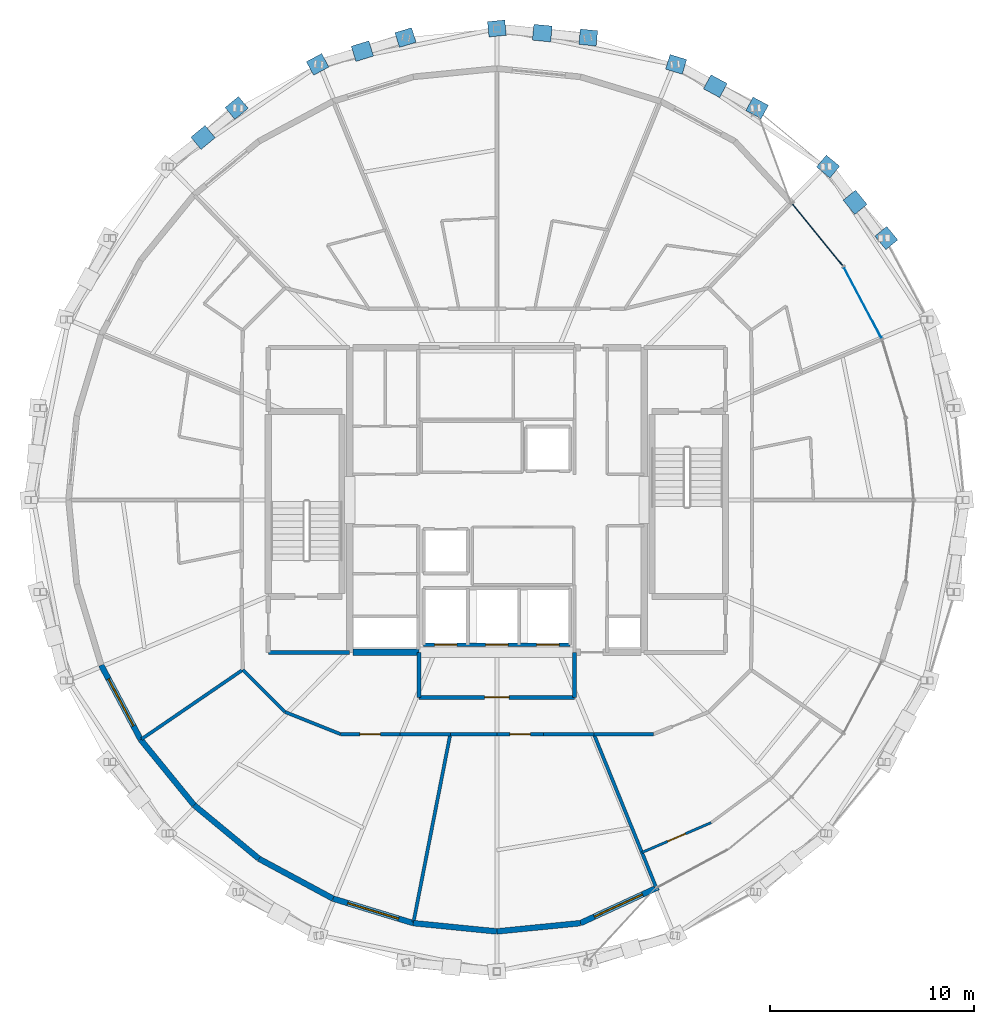
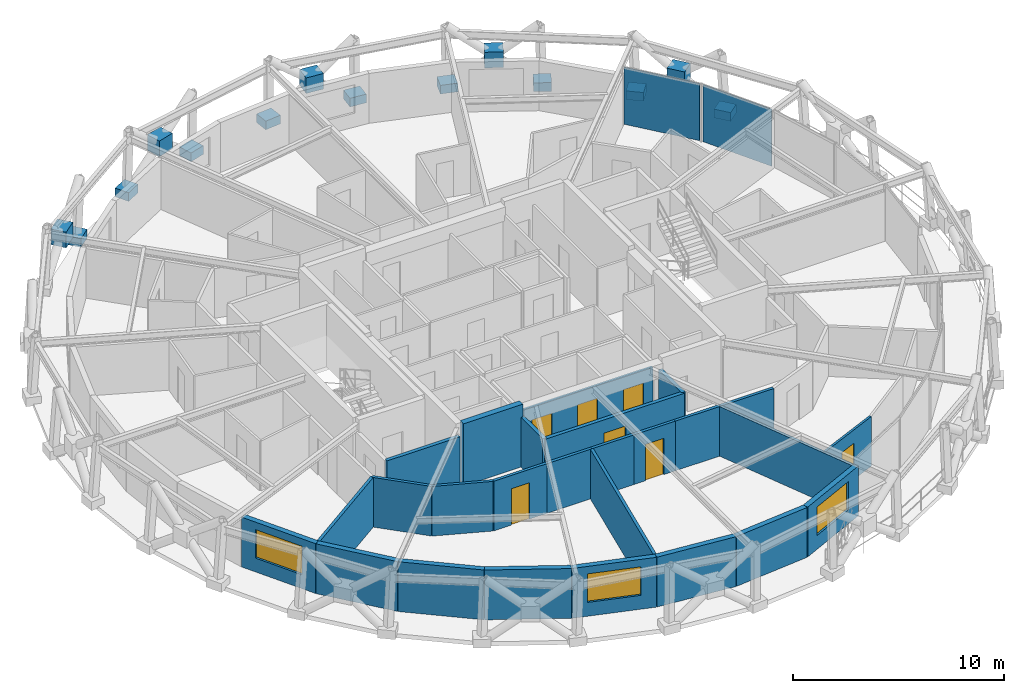
# One storey, part 10 of 15: 26 walls, 16 plates, 7 doors, 3 windows, 10 openings, 1 element without a shape of its own.
"""IFC4 building model written with IfcOpenShell, lengths in metres."""

from ifc_helpers import new_model, si_unit, direction, frame, frame_2d, origin, origin_2d, place, context, subcontext, project, spatial, rectangle, extrude, material, layer, layer_set, type_object, element, fill, aggregate, save


model = new_model("IFC4")

# Units and contexts
model_context = context("Model", 3, precision=1e-05, world=origin(), true_north=direction((0.0, 1.0)))
body_context = subcontext(model_context, "Body", "Model", "MODEL_VIEW")
ifc_project = project(units=[si_unit("LENGTHUNIT", "METRE"), si_unit("AREAUNIT", "SQUARE_METRE"), si_unit("VOLUMEUNIT", "CUBIC_METRE"), si_unit("PLANEANGLEUNIT", "RADIAN"), si_unit("MASSUNIT", "GRAM", prefix="KILO")], contexts=[model_context])

# Site, building, storey
site_placement = place(None, origin())
site = spatial("IfcSite", under=ifc_project, at=site_placement, CompositionType="ELEMENT")
building_placement = place(site_placement, origin())
building = spatial("IfcBuilding", under=site, at=building_placement, Name="Veldorina Hangang Commons", CompositionType="ELEMENT")
storey_placement = place(building_placement, frame((0.0, 0.0, 250.800048828125)))
storey = spatial("IfcBuildingStorey", under=building, at=storey_placement, Name="L65", CompositionType="ELEMENT", Elevation=250.800048828125)

# Curtain wall, plates
ifc_material_1 = material(Name="Glass Low-E Selective", Category="glass")
ifc_layer_1 = layer(ifc_material_1, 0.179931640625)
ifc_layer_set_1 = layer_set([ifc_layer_1], Name="Glass Low-E Selective")
curtain_wall_type = type_object("IfcCurtainWallType", Name="CW-SYS-Z3", PredefinedType="NOTDEFINED", material=ifc_layer_set_1)
curtain_wall_placement = place(storey_placement, origin())
curtain_wall = element("IfcCurtainWall", 1, at=curtain_wall_placement, inside=storey, type_object=curtain_wall_type, Name="L65 unitised curtain wall CW-L65-R2", PredefinedType="NOTDEFINED")
ifc_material_2 = material(Name="Glass Low-E Triple IGU", Category="glass")
ifc_layer_2 = layer(ifc_material_2, 0.0400390625)
ifc_layer_set_2 = layer_set([ifc_layer_2], Name="Glass Low-E Triple IGU")
plate_type_1 = type_object("IfcPlateType", Name="CW-PNL-VIS", PredefinedType="CURTAIN_PANEL", material=ifc_layer_set_2)
plate_1_placement = place(storey_placement, frame((49.8916015625, 33.634765625, 0.014892578125), z_axis=(0.0, 0.0, 1.0), x_axis=(-0.468670031731, 0.88337330804, 0.0)))
plate_1 = element("IfcPlate", 2, at=plate_1_placement, type_object=plate_type_1, Name="CW-L65-R2 facet 4 glazed vision panel", PredefinedType="CURTAIN_PANEL", context=body_context, shape_type="SweptSolid", body=[
    extrude(rectangle(XDim=3.839599609375, YDim=0.0400390625, at=origin_2d()), origin(), (0.0, 0.0, 1.0), 3.2900390625),
])
plate_2_placement = place(storey_placement, frame((47.68212890625, 36.96630859375, 0.014892578125), z_axis=(0.0, 0.0, 1.0), x_axis=(-0.631569330094, 0.775319405977, 0.0)))
plate_2 = element("IfcPlate", 3, at=plate_2_placement, type_object=plate_type_1, Name="CW-L65-R2 facet 5 glazed vision panel", PredefinedType="CURTAIN_PANEL", context=body_context, shape_type="SweptSolid", body=[
    extrude(rectangle(XDim=3.833984375, YDim=0.0400390625, at=origin_2d()), origin(), (0.0, 0.0, 1.0), 3.2900390625),
])
aggregate(curtain_wall, [plate_1, plate_2])

# Plates
ifc_material_3 = material(Name="Steel SM460-TMC", Category="steel")
ifc_layer_3 = layer(ifc_material_3, 0.035888671875)
ifc_layer_set_3 = layer_set([ifc_layer_3], Name="Steel SM460-TMC")
plate_type_2 = type_object("IfcPlateType", Name="PL-STAR-36", PredefinedType="USERDEFINED", material=ifc_layer_set_3)
plate_3_placement = place(storey_placement, frame((51.044921875, 36.81005859375, -0.090087890625), z_axis=(0.0, 0.0, 1.0), x_axis=(-0.631880512357, 0.775065815337, 0.0)))
element("IfcPlate", 4, at=plate_3_placement, inside=storey, type_object=plate_type_2, Name="L65 diagrid star-node gusset plate 03", ObjectType="GUSSET PLATE", PredefinedType="USERDEFINED", context=body_context, shape_type="SweptSolid", body=[
    extrude(rectangle(XDim=0.85009765625, YDim=0.75, at=origin_2d()), origin(), (0.0, 0.0, 1.0), 0.5),
])
plate_4_placement = place(storey_placement, frame((49.519287109375, 38.557373046875, 1.3544921875), z_axis=(0.0, 0.0, 1.0), x_axis=(-0.631880512357, 0.775065815337, 0.0)))
element("IfcPlate", 5, at=plate_4_placement, inside=storey, type_object=plate_type_2, Name="L65 diagrid X-crossing star-node gusset plate 03", ObjectType="GUSSET PLATE", PredefinedType="USERDEFINED", context=body_context, shape_type="SweptSolid", body=[
    extrude(rectangle(XDim=0.89990234375, YDim=0.780029296875, at=origin_2d()), origin(), (0.0, 0.0, 1.0), 0.89990234375),
])
for number, where, z_axis, x_axis, name in (
    (6, (48.1962890625, 40.30419921875, -0.090087890625), (0.0, 0.0, 1.0), (-0.770946944991, 0.636899370395, 0.0), "L65 diagrid star-node gusset plate 04"),
    (7, (44.725341796875, 43.171630859375, -0.090087890625), (0.0, 0.0, 1.0), (-0.880617979554, 0.473826945293, 0.0), "L65 diagrid star-node gusset plate 05"),
):
    element("IfcPlate", number, at=place(storey_placement, frame(where, z_axis=z_axis, x_axis=x_axis)), inside=storey, type_object=plate_type_2, Name=name, ObjectType="GUSSET PLATE", PredefinedType="USERDEFINED", context=body_context, shape_type="SweptSolid", body=[
        extrude(rectangle(XDim=0.85009765625, YDim=0.75, at=origin_2d()), origin(), (0.0, 0.0, 1.0), 0.5),
    ])
plate_5_placement = place(storey_placement, frame((42.68310546875, 44.236572265625, 1.3583984375), z_axis=(0.0, 0.0, 1.0), x_axis=(-0.880617979554, 0.473826945293, 0.0)))
element("IfcPlate", 8, at=plate_5_placement, inside=storey, type_object=plate_type_2, Name="L65 diagrid X-crossing star-node gusset plate 05", ObjectType="GUSSET PLATE", PredefinedType="USERDEFINED", context=body_context, shape_type="SweptSolid", body=[
    extrude(rectangle(XDim=0.89990234375, YDim=0.780029296875, at=origin_2d()), origin(), (0.0, 0.0, 1.0), 0.89990234375),
])
for number, where, z_axis, x_axis, name in (
    (9, (40.765380859375, 45.302490234375, -0.090087890625), (0.0, 0.0, 1.0), (-0.95639656005, 0.2920712583, 0.0), "L65 diagrid star-node gusset plate 06"),
    (10, (36.468505859375, 46.614501953125, -0.090087890625), (0.0, 0.0, 1.0), (-0.995121222463, 0.098659782103, 0.0), "L65 diagrid star-node gusset plate 07"),
):
    element("IfcPlate", number, at=place(storey_placement, frame(where, z_axis=z_axis, x_axis=x_axis)), inside=storey, type_object=plate_type_2, Name=name, ObjectType="GUSSET PLATE", PredefinedType="USERDEFINED", context=body_context, shape_type="SweptSolid", body=[
        extrude(rectangle(XDim=0.85009765625, YDim=0.75, at=origin_2d()), origin(), (0.0, 0.0, 1.0), 0.5),
    ])
plate_6_placement = place(storey_placement, frame((34.220947265625, 46.831298828125, 1.36083984375), z_axis=(0.0, 0.0, 1.0), x_axis=(-0.995121222463, 0.098659782103, 0.0)))
element("IfcPlate", 11, at=plate_6_placement, inside=storey, type_object=plate_type_2, Name="L65 diagrid X-crossing star-node gusset plate 07", ObjectType="GUSSET PLATE", PredefinedType="USERDEFINED", context=body_context, shape_type="SweptSolid", body=[
    extrude(rectangle(XDim=0.89990234375, YDim=0.780029296875, at=origin_2d()), origin(), (0.0, 0.0, 1.0), 0.89990234375),
])
for number, where, z_axis, x_axis, name in (
    (12, (32.0, 47.0576171875, -0.090087890625), (0.0, 0.0, 1.0), (-0.995121222463, -0.098659782103, 0.0), "L65 diagrid star-node gusset plate 08"),
    (13, (27.531494140625, 46.614501953125, -0.090087890625), (0.0, 0.0, 1.0), (-0.95639656005, -0.2920712583, 0.0), "L65 diagrid star-node gusset plate 09"),
):
    element("IfcPlate", number, at=place(storey_placement, frame(where, z_axis=z_axis, x_axis=x_axis)), inside=storey, type_object=plate_type_2, Name=name, ObjectType="GUSSET PLATE", PredefinedType="USERDEFINED", context=body_context, shape_type="SweptSolid", body=[
        extrude(rectangle(XDim=0.85009765625, YDim=0.75, at=origin_2d()), origin(), (0.0, 0.0, 1.0), 0.5),
    ])
plate_7_placement = place(storey_placement, frame((25.424072265625, 45.94921875, 1.360107421875), z_axis=(0.0, 0.0, 1.0), x_axis=(-0.95639656005, -0.2920712583, 0.0)))
element("IfcPlate", 14, at=plate_7_placement, inside=storey, type_object=plate_type_2, Name="L65 diagrid X-crossing star-node gusset plate 09", ObjectType="GUSSET PLATE", PredefinedType="USERDEFINED", context=body_context, shape_type="SweptSolid", body=[
    extrude(rectangle(XDim=0.89990234375, YDim=0.780029296875, at=origin_2d()), origin(), (0.0, 0.0, 1.0), 0.89990234375),
])
for number, where, z_axis, x_axis, name in (
    (15, (23.234619140625, 45.302490234375, -0.090087890625), (0.0, 0.0, 1.0), (-0.880617979554, -0.473826945293, 0.0), "L65 diagrid star-node gusset plate 10"),
    (16, (19.274658203125, 43.171630859375, -0.090087890625), (0.0, 0.0, 1.0), (-0.770946944991, -0.636899370395, 0.0), "L65 diagrid star-node gusset plate 11"),
):
    element("IfcPlate", number, at=place(storey_placement, frame(where, z_axis=z_axis, x_axis=x_axis)), inside=storey, type_object=plate_type_2, Name=name, ObjectType="GUSSET PLATE", PredefinedType="USERDEFINED", context=body_context, shape_type="SweptSolid", body=[
        extrude(rectangle(XDim=0.85009765625, YDim=0.75, at=origin_2d()), origin(), (0.0, 0.0, 1.0), 0.5),
    ])
plate_8_placement = place(storey_placement, frame((17.630615234375, 41.728271484375, 1.356689453125), z_axis=(0.0, 0.0, 1.0), x_axis=(-0.770946944991, -0.636899370395, 0.0)))
element("IfcPlate", 17, at=plate_8_placement, inside=storey, type_object=plate_type_2, Name="L65 diagrid X-crossing star-node gusset plate 11", ObjectType="GUSSET PLATE", PredefinedType="USERDEFINED", context=body_context, shape_type="SweptSolid", body=[
    extrude(rectangle(XDim=0.89990234375, YDim=0.780029296875, at=origin_2d()), origin(), (0.0, 0.0, 1.0), 0.89990234375),
])

# Wall
ifc_material_4 = material(Name="Concrete C50/60", Category="concrete")
ifc_layer_4 = layer(ifc_material_4, 0.320068359375)
ifc_layer_set_4 = layer_set([ifc_layer_4], Name="Concrete C50/60")
wall_type_1 = type_object("IfcWallType", Name="CW-RC320-C50", PredefinedType="SHEAR", material=ifc_layer_set_4)
wall_1_placement = place(storey_placement, frame((24.9599609375, 16.550048828125, 0.0), z_axis=(0.0, 0.0, 1.0), x_axis=(1.0, 0.0, 0.0)))
element("IfcWall", 18, at=wall_1_placement, inside=storey, type_object=wall_type_1, Name="L65 south-west core shear wall", PredefinedType="SHEAR", context=body_context, shape_type="SweptSolid", body=[
    extrude(rectangle(XDim=3.239990234375, YDim=0.320068359375, at=frame_2d((1.6201171875, 0.0))), origin(), (0.0, 0.0, 1.0), 3.599853515625),
])

# Wall, opening, window
ifc_material_5 = material(Name="Stone Roman Travertine", Category="masonry")
ifc_layer_5 = layer(ifc_material_5, 0.280029296875)
ifc_layer_set_5 = layer_set([ifc_layer_5], Name="Stone Roman Travertine")
wall_type_2 = type_object("IfcWallType", Name="EW-TRAV-280", PredefinedType="STANDARD", material=ifc_layer_set_5)
wall_2_placement = place(storey_placement, frame((12.649169921875, 15.92626953125, 0.0), z_axis=(0.0, 0.0, 1.0), x_axis=(0.468745936162, -0.883333033081, 0.0)))
wall_2 = element("IfcWall", 19, at=wall_2_placement, inside=storey, type_object=wall_type_2, Name="L65 travertine facade wall 18", PredefinedType="STANDARD", context=body_context, shape_type="SweptSolid", body=[
    extrude(rectangle(XDim=4.129150390625, YDim=0.280029296875, at=frame_2d((2.064453125, 0.0))), origin(), (0.0, 0.0, 1.0), 2.8798828125),
])
opening_1_placement = place(wall_2_placement, frame((0.7646484375, 0.0, 0.800048828125)))
opening_1 = element("IfcOpeningElement", 20, at=opening_1_placement, cuts=wall_2, Name="Opening W-02", PredefinedType="OPENING", context=body_context, shape_type="SweptSolid", body=[
    extrude(rectangle(XDim=2.60009765625, YDim=1.64990234375, at=frame_2d((1.300048828125, 0.824951171875))), frame((0.0, 0.14990234375, 0.0), z_axis=(0.0, -1.0, 0.0), x_axis=(1.0, 0.0, 0.0)), (0.0, 0.0, 1.0), 0.300048828125),
])
window_type = type_object("IfcWindowType", Name="WIN-TWR-2600", PartitioningType="SINGLE_PANEL", PredefinedType="WINDOW", material=ifc_material_2)
window_1_placement = place(opening_1_placement, origin())
window_1 = element("IfcWindow", 21, at=window_1_placement, inside=storey, type_object=window_type, Name="L65 facade window 18", OverallHeight=1.64990234375, OverallWidth=2.60009765625, PartitioningType="SINGLE_PANEL", PredefinedType="WINDOW", context=body_context, shape_type="SweptSolid", body=[
    extrude(rectangle(XDim=2.60009765625, YDim=1.64990234375, at=frame_2d((1.300048828125, 0.824951171875))), frame((0.0, 0.030029296875, 0.0), z_axis=(0.0, -1.0, 0.0), x_axis=(1.0, 0.0, 0.0)), (0.0, 0.0, 1.0), 0.06005859375),
])
fill(opening_1, window_1)

# Walls
wall_3_placement = place(storey_placement, frame((14.584716796875, 12.27880859375, 0.0), z_axis=(0.0, 0.0, 1.0), x_axis=(0.631637370097, -0.775263976138, 0.0)))
element("IfcWall", 22, at=wall_3_placement, inside=storey, type_object=wall_type_2, Name="L65 travertine facade wall 19", PredefinedType="STANDARD", context=body_context, shape_type="SweptSolid", body=[
    extrude(rectangle(XDim=4.123779296875, YDim=0.280029296875, at=frame_2d((2.06201171875, 0.0))), origin(), (0.0, 0.0, 1.0), 2.8798828125),
])
wall_4_placement = place(storey_placement, frame((17.189453125, 9.081787109375, 0.0), z_axis=(0.0, 0.0, 1.0), x_axis=(0.770756680857, -0.637129609197, 0.0)))
element("IfcWall", 23, at=wall_4_placement, inside=storey, type_object=wall_type_2, Name="L65 travertine facade wall 20", PredefinedType="STANDARD", context=body_context, shape_type="SweptSolid", body=[
    extrude(rectangle(XDim=4.1181640625, YDim=0.280029296875, at=frame_2d((2.05908203125, 0.0))), origin(), (0.0, 0.0, 1.0), 2.8798828125),
])
wall_5_placement = place(storey_placement, frame((20.363525390625, 6.4580078125, 0.0), z_axis=(0.0, 0.0, 1.0), x_axis=(0.880482536711, -0.474078582671, 0.0)))
element("IfcWall", 24, at=wall_5_placement, inside=storey, type_object=wall_type_2, Name="L65 travertine facade wall 21", PredefinedType="STANDARD", context=body_context, shape_type="SweptSolid", body=[
    extrude(rectangle(XDim=4.112548828125, YDim=0.280029296875, at=frame_2d((2.05615234375, 0.0))), origin(), (0.0, 0.0, 1.0), 2.8798828125),
])

# Wall, opening, window
wall_6_placement = place(storey_placement, frame((23.984619140625, 4.50830078125, 0.0), z_axis=(0.0, 0.0, 1.0), x_axis=(0.956361719018, -0.292185322009, 0.0)))
wall_6 = element("IfcWall", 25, at=wall_6_placement, inside=storey, type_object=wall_type_2, Name="L65 travertine facade wall 22", PredefinedType="STANDARD", context=body_context, shape_type="SweptSolid", body=[
    extrude(rectangle(XDim=4.1083984375, YDim=0.280029296875, at=frame_2d((2.05419921875, 0.0))), origin(), (0.0, 0.0, 1.0), 2.8798828125),
])
opening_2_placement = place(wall_6_placement, frame((0.75439453125, 0.0, 0.800048828125)))
opening_2 = element("IfcOpeningElement", 26, at=opening_2_placement, cuts=wall_6, Name="Opening W-02", PredefinedType="OPENING", context=body_context, shape_type="SweptSolid", body=[
    extrude(rectangle(XDim=2.60009765625, YDim=1.64990234375, at=frame_2d((1.300048828125, 0.824951171875))), frame((0.0, 0.14990234375, 0.0), z_axis=(0.0, -1.0, 0.0), x_axis=(1.0, 0.0, 0.0)), (0.0, 0.0, 1.0), 0.300048828125),
])
window_2_placement = place(opening_2_placement, origin())
window_2 = element("IfcWindow", 27, at=window_2_placement, inside=storey, type_object=window_type, Name="L65 facade window 22", OverallHeight=1.64990234375, OverallWidth=2.60009765625, PartitioningType="SINGLE_PANEL", PredefinedType="WINDOW", context=body_context, shape_type="SweptSolid", body=[
    extrude(rectangle(XDim=2.60009765625, YDim=1.64990234375, at=frame_2d((1.300048828125, 0.824951171875))), frame((0.0, 0.030029296875, 0.0), z_axis=(0.0, -1.0, 0.0), x_axis=(1.0, 0.0, 0.0)), (0.0, 0.0, 1.0), 0.06005859375),
])
fill(opening_2, window_2)

# Walls
for number, where, z_axis, x_axis, name in (
    (28, (27.913818359375, 3.307861328125, 0.0), (0.0, 0.0, 1.0), (0.995111670603, -0.098756078441, 0.0), "L65 travertine facade wall 23"),
    (29, (32.0, 2.90234375, 0.0), (0.0, 0.0, 1.0), (0.995111670603, 0.098756078441, 0.0), "L65 travertine facade wall 24"),
):
    element("IfcWall", number, at=place(storey_placement, frame(where, z_axis=z_axis, x_axis=x_axis)), inside=storey, type_object=wall_type_2, Name=name, PredefinedType="STANDARD", context=body_context, shape_type="SweptSolid", body=[
        extrude(rectangle(XDim=4.106201171875, YDim=0.280029296875, at=frame_2d((2.05322265625, 0.0))), origin(), (0.0, 0.0, 1.0), 2.8798828125),
    ])

# Wall, opening, window
wall_7_placement = place(storey_placement, frame((36.086181640625, 3.307861328125, 0.0), z_axis=(0.0, 0.0, 1.0), x_axis=(0.90766204645, 0.41970181014, 0.0)))
wall_7 = element("IfcWall", 30, at=wall_7_placement, inside=storey, type_object=wall_type_2, Name="L65 travertine facade wall 25", PredefinedType="STANDARD", context=body_context, shape_type="SweptSolid", body=[
    extrude(rectangle(XDim=4.184814453125, YDim=0.280029296875, at=frame_2d((2.09228515625, 0.0))), origin(), (0.0, 0.0, 1.0), 2.8798828125),
])
opening_3_placement = place(wall_7_placement, frame((0.746337890625, 0.0, 0.800048828125)))
opening_3 = element("IfcOpeningElement", 31, at=opening_3_placement, cuts=wall_7, Name="Opening W-02", PredefinedType="OPENING", context=body_context, shape_type="SweptSolid", body=[
    extrude(rectangle(XDim=2.60009765625, YDim=1.64990234375, at=frame_2d((1.300048828125, 0.824951171875))), frame((0.0, 0.14990234375, 0.0), z_axis=(0.0, -1.0, 0.0), x_axis=(1.0, 0.0, 0.0)), (0.0, 0.0, 1.0), 0.300048828125),
])
window_3_placement = place(opening_3_placement, origin())
window_3 = element("IfcWindow", 32, at=window_3_placement, inside=storey, type_object=window_type, Name="L65 facade window 25", OverallHeight=1.64990234375, OverallWidth=2.60009765625, PartitioningType="SINGLE_PANEL", PredefinedType="WINDOW", context=body_context, shape_type="SweptSolid", body=[
    extrude(rectangle(XDim=2.60009765625, YDim=1.64990234375, at=frame_2d((1.300048828125, 0.824951171875))), frame((0.0, 0.030029296875, 0.0), z_axis=(0.0, -1.0, 0.0), x_axis=(1.0, 0.0, 0.0)), (0.0, 0.0, 1.0), 0.06005859375),
])
fill(opening_3, window_3)

# Wall, openings, doors
ifc_material_6 = material(Name="Gypsum Fire-Rated Twin Stud Wall", Category="gypsum")
ifc_layer_6 = layer(ifc_material_6, 0.159912109375)
ifc_layer_set_6 = layer_set([ifc_layer_6], Name="Gypsum Fire-Rated Twin Stud Wall")
wall_type_3 = type_object("IfcWallType", Name="WL-FIRE-160", PredefinedType="SOLIDWALL", material=ifc_layer_set_6)
wall_8_placement = place(storey_placement, frame((28.419921875, 16.919921875, 0.0), z_axis=(0.0, 0.0, 1.0), x_axis=(1.0, 0.0, 0.0)))
wall_8 = element("IfcWall", 33, at=wall_8_placement, inside=storey, type_object=wall_type_3, Name="L65 Emergency front shaft wall 023", PredefinedType="SOLIDWALL", context=body_context, shape_type="SweptSolid", body=[
    extrude(rectangle(XDim=7.16015625, YDim=0.159912109375, at=frame_2d((3.580078125, 0.0))), origin(), (0.0, 0.0, 1.0), 2.869873046875),
])
opening_4_placement = place(wall_8_placement, frame((0.530029296875, 0.0, 0.0)))
opening_4 = element("IfcOpeningElement", 34, at=opening_4_placement, cuts=wall_8, Name="Opening LD-03", PredefinedType="OPENING", context=body_context, shape_type="SweptSolid", body=[
    extrude(rectangle(XDim=1.10009765625, YDim=2.14990234375, at=frame_2d((0.550048828125, 1.074951171875))), frame((0.0, 0.08984375, 0.0), z_axis=(0.0, -1.0, 0.0), x_axis=(1.0, 0.0, 0.0)), (0.0, 0.0, 1.0), 0.179931640625),
])
opening_5_placement = place(wall_8_placement, frame((3.030029296875, 0.0, 0.0)))
opening_5 = element("IfcOpeningElement", 35, at=opening_5_placement, cuts=wall_8, Name="Opening LD-03", PredefinedType="OPENING", context=body_context, shape_type="SweptSolid", body=[
    extrude(rectangle(XDim=1.10009765625, YDim=2.14990234375, at=frame_2d((0.550048828125, 1.074951171875))), frame((0.0, 0.08984375, 0.0), z_axis=(0.0, -1.0, 0.0), x_axis=(1.0, 0.0, 0.0)), (0.0, 0.0, 1.0), 0.179931640625),
])
opening_6_placement = place(wall_8_placement, frame((5.530029296875, 0.0, 0.0)))
opening_6 = element("IfcOpeningElement", 36, at=opening_6_placement, cuts=wall_8, Name="Opening LD-03", PredefinedType="OPENING", context=body_context, shape_type="SweptSolid", body=[
    extrude(rectangle(XDim=1.10009765625, YDim=2.14990234375, at=frame_2d((0.550048828125, 1.074951171875))), frame((0.0, 0.08984375, 0.0), z_axis=(0.0, -1.0, 0.0), x_axis=(1.0, 0.0, 0.0)), (0.0, 0.0, 1.0), 0.179931640625),
])
ifc_material_7 = material(Name="Stainless Steel Firefighting Lift Door", Category="steel")
door_type_1 = type_object("IfcDoorType", Name="DR-LIFT-FF1100", OperationType="SLIDING_TO_RIGHT", PredefinedType="DOOR", material=ifc_material_7)
door_1_placement = place(opening_4_placement, origin())
door_1 = element("IfcDoor", 37, at=door_1_placement, inside=storey, type_object=door_type_1, Name="L65 Emergency lift FFL-1 landing door 008", OperationType="SLIDING_TO_RIGHT", OverallHeight=2.14990234375, OverallWidth=1.10009765625, PredefinedType="DOOR", context=body_context, shape_type="SweptSolid", body=[
    extrude(rectangle(XDim=1.10009765625, YDim=2.14990234375, at=frame_2d((0.550048828125, 1.074951171875))), frame((0.0, 0.02490234375, 0.0), z_axis=(0.0, -1.0, 0.0), x_axis=(1.0, 0.0, 0.0)), (0.0, 0.0, 1.0), 0.050048828125),
])
fill(opening_4, door_1)
door_2_placement = place(opening_5_placement, origin())
door_2 = element("IfcDoor", 38, at=door_2_placement, inside=storey, type_object=door_type_1, Name="L65 Emergency lift FFL-2 landing door 009", OperationType="SLIDING_TO_RIGHT", OverallHeight=2.14990234375, OverallWidth=1.10009765625, PredefinedType="DOOR", context=body_context, shape_type="SweptSolid", body=[
    extrude(rectangle(XDim=1.10009765625, YDim=2.14990234375, at=frame_2d((0.550048828125, 1.074951171875))), frame((0.0, 0.02490234375, 0.0), z_axis=(0.0, -1.0, 0.0), x_axis=(1.0, 0.0, 0.0)), (0.0, 0.0, 1.0), 0.050048828125),
])
fill(opening_5, door_2)
door_3_placement = place(opening_6_placement, origin())
door_3 = element("IfcDoor", 39, at=door_3_placement, inside=storey, type_object=door_type_1, Name="L65 Emergency lift EVL-1 landing door 010", OperationType="SLIDING_TO_RIGHT", OverallHeight=2.14990234375, OverallWidth=1.10009765625, PredefinedType="DOOR", context=body_context, shape_type="SweptSolid", body=[
    extrude(rectangle(XDim=1.10009765625, YDim=2.14990234375, at=frame_2d((0.550048828125, 1.074951171875))), frame((0.0, 0.02490234375, 0.0), z_axis=(0.0, -1.0, 0.0), x_axis=(1.0, 0.0, 0.0)), (0.0, 0.0, 1.0), 0.050048828125),
])
fill(opening_6, door_3)

# Walls
wall_9_placement = place(storey_placement, frame((19.5732421875, 15.69677734375, 0.0), z_axis=(0.0, 0.0, 1.0), x_axis=(0.707106781187, -0.707106781187, 0.0)))
element("IfcWall", 40, at=wall_9_placement, inside=storey, type_object=wall_type_3, Name="L65 Compact collar outer wall 19 073", PredefinedType="SOLIDWALL", context=body_context, shape_type="SweptSolid", body=[
    extrude(rectangle(XDim=2.915771484375, YDim=0.159912109375, at=frame_2d((1.4580078125, 0.0))), origin(), (0.0, 0.0, 1.0), 2.869873046875),
])
wall_10_placement = place(storey_placement, frame((21.635009765625, 13.635009765625, 0.0), z_axis=(0.0, 0.0, 1.0), x_axis=(0.92856882165, -0.371160266542, 0.0)))
element("IfcWall", 41, at=wall_10_placement, inside=storey, type_object=wall_type_3, Name="L65 Compact collar outer wall 20 074", PredefinedType="SOLIDWALL", context=body_context, shape_type="SweptSolid", body=[
    extrude(rectangle(XDim=2.923095703125, YDim=0.159912109375, at=frame_2d((1.46142578125, 0.0))), origin(), (0.0, 0.0, 1.0), 2.869873046875),
])

# Wall, opening, door
wall_11_placement = place(storey_placement, frame((24.349365234375, 12.550048828125, 0.0), z_axis=(0.0, 0.0, 1.0), x_axis=(1.0, 0.0, 0.0)))
wall_11 = element("IfcWall", 42, at=wall_11_placement, inside=storey, type_object=wall_type_3, Name="L65 Compact collar outer wall 21 075", PredefinedType="SOLIDWALL", context=body_context, shape_type="SweptSolid", body=[
    extrude(rectangle(XDim=2.907958984375, YDim=0.159912109375, at=frame_2d((1.4541015625, 0.0))), origin(), (0.0, 0.0, 1.0), 2.869873046875),
])
opening_7_placement = place(wall_11_placement, frame((0.9541015625, 0.0, 0.0)))
opening_7 = element("IfcOpeningElement", 43, at=opening_7_placement, cuts=wall_11, Name="Opening D-05", PredefinedType="OPENING", context=body_context, shape_type="SweptSolid", body=[
    extrude(rectangle(XDim=1.0, YDim=2.10009765625, at=frame_2d((0.5, 1.050048828125))), frame((0.0, 0.08984375, 0.0), z_axis=(0.0, -1.0, 0.0), x_axis=(1.0, 0.0, 0.0)), (0.0, 0.0, 1.0), 0.179931640625),
])
ifc_material_8 = material(Name="Timber Solid Core Acoustic", Category="wood")
door_type_2 = type_object("IfcDoorType", Name="DR-INT-1000", OperationType="SINGLE_SWING_RIGHT", PredefinedType="DOOR", material=ifc_material_8)
door_4_placement = place(opening_7_placement, origin())
door_4 = element("IfcDoor", 44, at=door_4_placement, inside=storey, type_object=door_type_2, Name="L65 Floor Study Room 11 door 041", OperationType="SINGLE_SWING_LEFT", OverallHeight=2.10009765625, OverallWidth=1.0, PredefinedType="DOOR", context=body_context, shape_type="SweptSolid", body=[
    extrude(rectangle(XDim=1.0, YDim=2.10009765625, at=frame_2d((0.5, 1.050048828125))), frame((0.0, 0.02490234375, 0.0), z_axis=(0.0, -1.0, 0.0), x_axis=(1.0, 0.0, 0.0)), (0.0, 0.0, 1.0), 0.050048828125),
])
fill(opening_7, door_4)

# Walls
wall_12_placement = place(storey_placement, frame((27.25732421875, 12.550048828125, 0.0), z_axis=(0.0, 0.0, 1.0), x_axis=(1.0, 0.0, 0.0)))
element("IfcWall", 45, at=wall_12_placement, inside=storey, type_object=wall_type_3, Name="L65 Compact collar outer wall 22 076", PredefinedType="SOLIDWALL", context=body_context, shape_type="SweptSolid", body=[
    extrude(rectangle(XDim=2.465087890625, YDim=0.159912109375, at=frame_2d((1.232421875, 0.0))), origin(), (0.0, 0.0, 1.0), 2.869873046875),
])
wall_13_placement = place(storey_placement, frame((29.722412109375, 12.550048828125, 0.0), z_axis=(0.0, 0.0, 1.0), x_axis=(1.0, 0.0, 0.0)))
element("IfcWall", 46, at=wall_13_placement, inside=storey, type_object=wall_type_3, Name="L65 Compact collar outer wall 23 077", PredefinedType="SOLIDWALL", context=body_context, shape_type="SweptSolid", body=[
    extrude(rectangle(XDim=2.277587890625, YDim=0.159912109375, at=frame_2d((1.138671875, 0.0))), origin(), (0.0, 0.0, 1.0), 2.869873046875),
])

# Wall, opening, door
wall_14_placement = place(storey_placement, frame((32.0, 12.550048828125, 0.0), z_axis=(0.0, 0.0, 1.0), x_axis=(1.0, 0.0, 0.0)))
wall_14 = element("IfcWall", 47, at=wall_14_placement, inside=storey, type_object=wall_type_3, Name="L65 Compact collar outer wall 24 078", PredefinedType="SOLIDWALL", context=body_context, shape_type="SweptSolid", body=[
    extrude(rectangle(XDim=2.277587890625, YDim=0.159912109375, at=frame_2d((1.138671875, 0.0))), origin(), (0.0, 0.0, 1.0), 2.869873046875),
])
opening_8_placement = place(wall_14_placement, frame((0.638671875, 0.0, 0.0)))
opening_8 = element("IfcOpeningElement", 48, at=opening_8_placement, cuts=wall_14, Name="Opening D-05", PredefinedType="OPENING", context=body_context, shape_type="SweptSolid", body=[
    extrude(rectangle(XDim=1.0, YDim=2.10009765625, at=frame_2d((0.5, 1.050048828125))), frame((0.0, 0.08984375, 0.0), z_axis=(0.0, -1.0, 0.0), x_axis=(1.0, 0.0, 0.0)), (0.0, 0.0, 1.0), 0.179931640625),
])
door_5_placement = place(opening_8_placement, origin())
door_5 = element("IfcDoor", 49, at=door_5_placement, inside=storey, type_object=door_type_2, Name="L65 Seminar Focus Room 12 door 042", OperationType="SINGLE_SWING_RIGHT", OverallHeight=2.10009765625, OverallWidth=1.0, PredefinedType="DOOR", context=body_context, shape_type="SweptSolid", body=[
    extrude(rectangle(XDim=1.0, YDim=2.10009765625, at=frame_2d((0.5, 1.050048828125))), frame((0.0, 0.02490234375, 0.0), z_axis=(0.0, -1.0, 0.0), x_axis=(1.0, 0.0, 0.0)), (0.0, 0.0, 1.0), 0.050048828125),
])
fill(opening_8, door_5)

# Walls
wall_15_placement = place(storey_placement, frame((34.277587890625, 12.550048828125, 0.0), z_axis=(0.0, 0.0, 1.0), x_axis=(1.0, 0.0, 0.0)))
element("IfcWall", 50, at=wall_15_placement, inside=storey, type_object=wall_type_3, Name="L65 Compact collar outer wall 25 079", PredefinedType="SOLIDWALL", context=body_context, shape_type="SweptSolid", body=[
    extrude(rectangle(XDim=2.465087890625, YDim=0.159912109375, at=frame_2d((1.232421875, 0.0))), origin(), (0.0, 0.0, 1.0), 2.869873046875),
])
wall_16_placement = place(storey_placement, frame((36.74267578125, 12.550048828125, 0.0), z_axis=(0.0, 0.0, 1.0), x_axis=(1.0, 0.0, 0.0)))
element("IfcWall", 51, at=wall_16_placement, inside=storey, type_object=wall_type_3, Name="L65 Compact collar outer wall 26 080", PredefinedType="SOLIDWALL", context=body_context, shape_type="SweptSolid", body=[
    extrude(rectangle(XDim=2.907958984375, YDim=0.159912109375, at=frame_2d((1.4541015625, 0.0))), origin(), (0.0, 0.0, 1.0), 2.869873046875),
])
wall_17_placement = place(storey_placement, frame((19.5732421875, 15.69677734375, 0.0), z_axis=(0.0, 0.0, 1.0), x_axis=(-0.824943620796, -0.56521502325, 0.0)))
element("IfcWall", 52, at=wall_17_placement, inside=storey, type_object=wall_type_3, Name="L65 Unit party wall 19 114", PredefinedType="SOLIDWALL", context=body_context, shape_type="SweptSolid", body=[
    extrude(rectangle(XDim=5.9970703125, YDim=0.159912109375, at=frame_2d((2.99853515625, 0.0))), origin(), (0.0, 0.0, 1.0), 2.869873046875),
])
wall_18_placement = place(storey_placement, frame((29.722412109375, 12.550048828125, 0.0), z_axis=(0.0, 0.0, 1.0), x_axis=(-0.192054715532, -0.981384219479, 0.0)))
element("IfcWall", 53, at=wall_18_placement, inside=storey, type_object=wall_type_3, Name="L65 Unit party wall 23 115", PredefinedType="SOLIDWALL", context=body_context, shape_type="SweptSolid", body=[
    extrude(rectangle(XDim=9.367431640625, YDim=0.159912109375, at=frame_2d((4.68359375, 0.0))), origin(), (0.0, 0.0, 1.0), 2.869873046875),
])
wall_19_placement = place(storey_placement, frame((36.74267578125, 12.550048828125, 0.0), z_axis=(0.0, 0.0, 1.0), x_axis=(0.376547405106, -0.926397350875, 0.0)))
element("IfcWall", 54, at=wall_19_placement, inside=storey, type_object=wall_type_3, Name="L65 Unit party wall 26 116", PredefinedType="SOLIDWALL", context=body_context, shape_type="SweptSolid", body=[
    extrude(rectangle(XDim=8.072265625, YDim=0.159912109375, at=frame_2d((4.0361328125, 0.0))), origin(), (0.0, 0.0, 1.0), 2.869873046875),
])
ifc_material_9 = material(Name="Concrete Blockwork Fire Wall C30/37", Category="masonry")
ifc_layer_7 = layer(ifc_material_9, 0.199951171875)
ifc_layer_set_7 = layer_set([ifc_layer_7], Name="Concrete Blockwork Fire Wall C30/37")
wall_type_4 = type_object("IfcWallType", Name="WL-FIRE-200", PredefinedType="SOLIDWALL", material=ifc_layer_set_7)
wall_20_placement = place(storey_placement, frame((20.820068359375, 16.550048828125, 0.0), z_axis=(0.0, 0.0, 1.0), x_axis=(1.0, 0.0, 0.0)))
element("IfcWall", 55, at=wall_20_placement, inside=storey, type_object=wall_type_4, Name="L65 West vestibule south wall 002", PredefinedType="SOLIDWALL", context=body_context, shape_type="SweptSolid", body=[
    extrude(rectangle(XDim=3.97998046875, YDim=0.199951171875, at=frame_2d((1.989990234375, 0.0))), origin(), (0.0, 0.0, 1.0), 2.869873046875),
])
for number, where, z_axis, x_axis, name in (
    (56, (28.199951171875, 14.35009765625, 0.0), (0.0, 0.0, 1.0), (0.0, 1.0, 0.0), "L65 FF lobby west wall 012"),
    (57, (35.800048828125, 14.35009765625, 0.0), (0.0, 0.0, 1.0), (0.0, 1.0, 0.0), "L65 FF lobby east wall 013"),
):
    element("IfcWall", number, at=place(storey_placement, frame(where, z_axis=z_axis, x_axis=x_axis)), inside=storey, type_object=wall_type_4, Name=name, PredefinedType="SOLIDWALL", context=body_context, shape_type="SweptSolid", body=[
        extrude(rectangle(XDim=2.199951171875, YDim=0.199951171875, at=frame_2d((1.10009765625, 0.0))), origin(), (0.0, 0.0, 1.0), 2.869873046875),
    ])

# Wall, opening, door
wall_21_placement = place(storey_placement, frame((28.199951171875, 14.35009765625, 0.0), z_axis=(0.0, 0.0, 1.0), x_axis=(1.0, 0.0, 0.0)))
wall_21 = element("IfcWall", 58, at=wall_21_placement, inside=storey, type_object=wall_type_4, Name="L65 FF lobby south wall 014", PredefinedType="SOLIDWALL", context=body_context, shape_type="SweptSolid", body=[
    extrude(rectangle(XDim=7.60009765625, YDim=0.199951171875, at=frame_2d((3.800048828125, 0.0))), origin(), (0.0, 0.0, 1.0), 2.869873046875),
])
opening_9_placement = place(wall_21_placement, frame((3.199951171875, 0.0, 0.0)))
opening_9 = element("IfcOpeningElement", 59, at=opening_9_placement, cuts=wall_21, Name="Opening D-09", PredefinedType="OPENING", context=body_context, shape_type="SweptSolid", body=[
    extrude(rectangle(XDim=1.199951171875, YDim=2.10009765625, at=frame_2d((0.60009765625, 1.050048828125))), frame((0.0, 0.10986328125, 0.0), z_axis=(0.0, -1.0, 0.0), x_axis=(1.0, 0.0, 0.0)), (0.0, 0.0, 1.0), 0.219970703125),
])
ifc_material_10 = material(Name="Steel Fire-Rated Corridor Door", Category="steel")
door_type_3 = type_object("IfcDoorType", Name="DR-FIRE-1200", OperationType="SINGLE_SWING_LEFT", PredefinedType="DOOR", material=ifc_material_10)
door_6_placement = place(opening_9_placement, origin())
door_6 = element("IfcDoor", 60, at=door_6_placement, inside=storey, type_object=door_type_3, Name="L65 FF lobby south corridor door 005", OperationType="SINGLE_SWING_LEFT", OverallHeight=2.10009765625, OverallWidth=1.199951171875, PredefinedType="DOOR", context=body_context, shape_type="SweptSolid", body=[
    extrude(rectangle(XDim=1.199951171875, YDim=2.10009765625, at=frame_2d((0.60009765625, 1.050048828125))), frame((0.0, 0.02490234375, 0.0), z_axis=(0.0, -1.0, 0.0), x_axis=(1.0, 0.0, 0.0)), (0.0, 0.0, 1.0), 0.050048828125),
])
fill(opening_9, door_6)

ifc_material_11 = material(Name="Gypsum Acoustic Stud Partition", Category="gypsum")
ifc_layer_8 = layer(ifc_material_11, 0.1201171875)
ifc_layer_set_8 = layer_set([ifc_layer_8], Name="Gypsum Acoustic Stud Partition")
wall_type_5 = type_object("IfcWallType", Name="WL-PART-120", PredefinedType="PARTITIONING", material=ifc_layer_set_8)
wall_22_placement = place(storey_placement, frame((39.09521484375, 6.76220703125, 0.0), z_axis=(0.0, 0.0, 1.0), x_axis=(0.918134155299, 0.396269697144, 0.0)))
wall_22 = element("IfcWall", 61, at=wall_22_placement, inside=storey, type_object=wall_type_5, Name="L65 Laundry split 0 117", PredefinedType="PARTITIONING", context=body_context, shape_type="SweptSolid", body=[
    extrude(rectangle(XDim=3.68359375, YDim=0.1201171875, at=frame_2d((1.841796875, 0.0))), origin(), (0.0, 0.0, 1.0), 2.869873046875),
])
opening_10_placement = place(wall_22_placement, frame((1.36669921875, 0.0, 0.0)))
opening_10 = element("IfcOpeningElement", 62, at=opening_10_placement, cuts=wall_22, Name="Opening D-02", PredefinedType="OPENING", context=body_context, shape_type="SweptSolid", body=[
    extrude(rectangle(XDim=0.949951171875, YDim=2.10009765625, at=frame_2d((0.47509765625, 1.050048828125))), frame((0.0, 0.070068359375, 0.0), z_axis=(0.0, -1.0, 0.0), x_axis=(1.0, 0.0, 0.0)), (0.0, 0.0, 1.0), 0.14013671875),
])
door_type_4 = type_object("IfcDoorType", Name="DR-INT-950", OperationType="SINGLE_SWING_LEFT", PredefinedType="DOOR", material=ifc_material_8)
door_7_placement = place(opening_10_placement, origin())
door_7 = element("IfcDoor", 63, at=door_7_placement, inside=storey, type_object=door_type_4, Name="L65 Resident laundry inner door 044", OperationType="SINGLE_SWING_RIGHT", OverallHeight=2.10009765625, OverallWidth=0.949951171875, PredefinedType="DOOR", context=body_context, shape_type="SweptSolid", body=[
    extrude(rectangle(XDim=0.949951171875, YDim=2.10009765625, at=frame_2d((0.47509765625, 1.050048828125))), frame((0.0, 0.02490234375, 0.0), z_axis=(0.0, -1.0, 0.0), x_axis=(1.0, 0.0, 0.0)), (0.0, 0.0, 1.0), 0.050048828125),
])
fill(opening_10, door_7)

save(model, "model.ifc")
